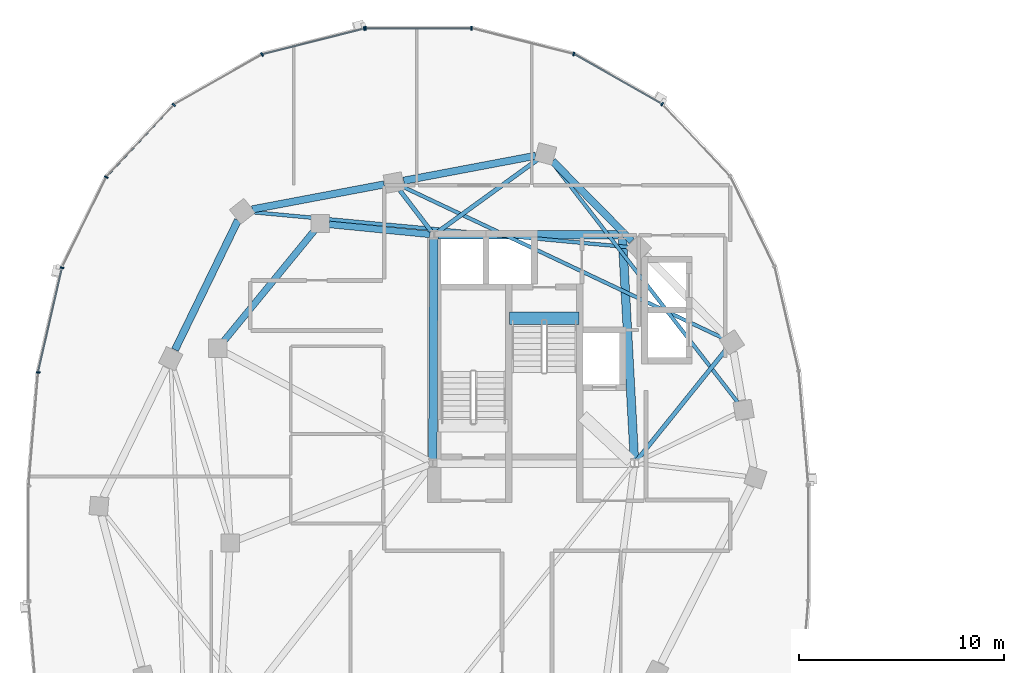
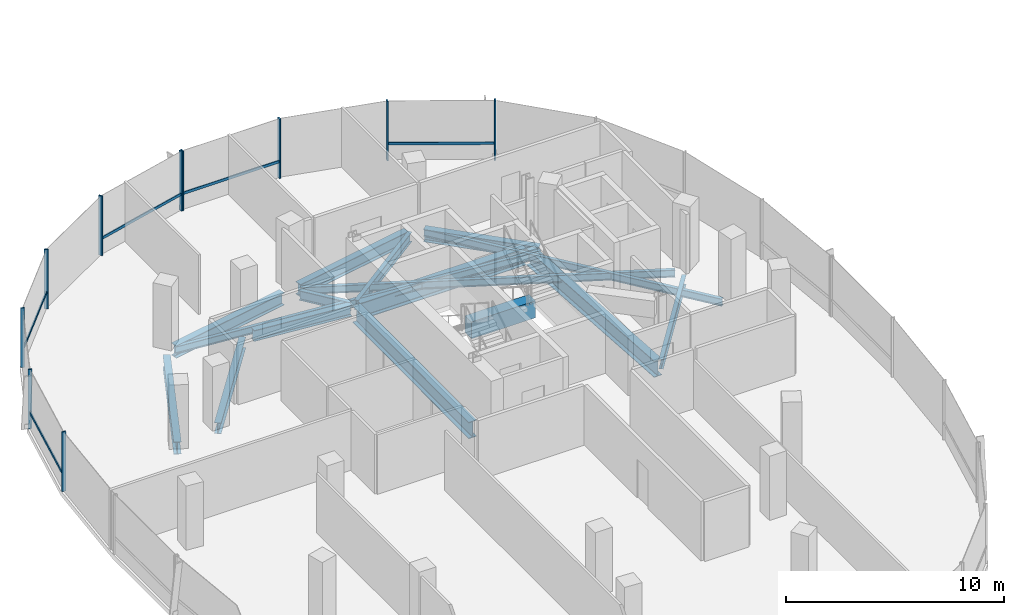
# One storey, part 6 of 25: 16 beams, 15 members, 2 elements without a shape of their own.
"""IFC4 building model written with IfcOpenShell, lengths in metres."""

from ifc_helpers import new_model, si_unit, direction, frame, origin, origin_2d, place, context, subcontext, project, spatial, rectangle, i_section, extrude, material, material_profile, profile_set, type_object, element, aggregate, save


model = new_model("IFC4")

# Units and contexts
model_context = context("Model", 3, precision=1e-05, world=origin(), true_north=direction((0.0, 1.0)))
body_context = subcontext(model_context, "Body", "Model", "MODEL_VIEW")
ifc_project = project(units=[si_unit("LENGTHUNIT", "METRE"), si_unit("AREAUNIT", "SQUARE_METRE"), si_unit("VOLUMEUNIT", "CUBIC_METRE"), si_unit("PLANEANGLEUNIT", "RADIAN"), si_unit("MASSUNIT", "GRAM", prefix="KILO"), si_unit("THERMODYNAMICTEMPERATUREUNIT", "KELVIN"), si_unit("POWERUNIT", "WATT")], contexts=[model_context])

# Site, building, storey
site_placement = place(None, origin())
site = spatial("IfcSite", under=ifc_project, at=site_placement, CompositionType="ELEMENT")
building_placement = place(site_placement, origin())
building = spatial("IfcBuilding", under=site, at=building_placement, Name="Cundina Bronze Exchange", CompositionType="ELEMENT")
storey_placement = place(building_placement, frame((0.0, 0.0, 191.800048828125)))
storey = spatial("IfcBuildingStorey", under=building, at=storey_placement, Name="L50", CompositionType="ELEMENT", Elevation=191.800048828125)

# Beams
ifc_material_1 = material(Name="Concrete C60/75", Category="concrete")
ifc_material_profile_1 = material_profile(ifc_material_1, rectangle(XDim=0.60009765625, YDim=0.949951171875, at=origin_2d()), Name="RC600X950", Category="concrete")
ifc_profile_set_1 = profile_set([ifc_material_profile_1], Name="Concrete C60/75")
beam_type_1 = type_object("IfcBeamType", Name="BM-COUP-RC950", PredefinedType="LINTEL", material=ifc_profile_set_1)
beam_1_placement = place(storey_placement, frame((-27.56005859375, 10.97998046875, -0.47509765625), z_axis=(1.0, 0.0, 0.0), x_axis=(0.0, 1.0, 0.0)))
element("IfcBeam", 1, at=beam_1_placement, inside=storey, type_object=beam_type_1, Name="L50 Stair W2 Landing Header Beam", PredefinedType="LINTEL", context=body_context, shape_type="SweptSolid", body=[
    extrude(rectangle(XDim=0.60009765625, YDim=0.949951171875, at=origin_2d()), origin(), (0.0, 0.0, 1.0), 3.400146484375),
])
ifc_material_2 = material(Name="Steel ASTM A992 Grade 50", Category="steel")
ifc_material_profile_2 = material_profile(ifc_material_2, i_section(OverallWidth=0.2119140625, OverallDepth=0.5439453125, WebThickness=0.01318359375, FlangeThickness=0.021240234375, FilletRadius=0.013916015625, at=origin_2d()), Name="W21X83", Category="steel")
ifc_profile_set_2 = profile_set([ifc_material_profile_2], Name="Steel ASTM A992 Grade 50")
beam_type_2 = type_object("IfcBeamType", Name="BM-FLR-W21A", PredefinedType="BEAM", material=ifc_profile_set_2)
beam_2_placement = place(storey_placement, frame((-21.3271484375, 4.052734375, -0.531982421875), z_axis=(0.627107470867, 0.778932744197, 0.0), x_axis=(-0.778932744197, 0.627107470867, 0.0)))
element("IfcBeam", 2, at=beam_2_placement, inside=storey, type_object=beam_type_2, Name="L50 Leg W Radial Floor Beam 02", PredefinedType="BEAM", context=body_context, shape_type="SweptSolid", body=[
    extrude(i_section(OverallWidth=0.2119140625, OverallDepth=0.5439453125, WebThickness=0.01318359375, FlangeThickness=0.021240234375, FilletRadius=0.013916015625, at=origin_2d()), origin(), (0.0, 0.0, 1.0), 6.890380859375),
])
beam_3_placement = place(storey_placement, frame((-31.09130859375, 15.1650390625, -0.531982421875), z_axis=(0.809703966883, 0.586838551915, 0.0), x_axis=(-0.586838551915, 0.809703966883, 0.0)))
element("IfcBeam", 3, at=beam_3_placement, inside=storey, type_object=beam_type_2, Name="L50 Leg W Radial Floor Beam 04", PredefinedType="BEAM", context=body_context, shape_type="SweptSolid", body=[
    extrude(i_section(OverallWidth=0.2119140625, OverallDepth=0.5439453125, WebThickness=0.01318359375, FlangeThickness=0.021240234375, FilletRadius=0.013916015625, at=origin_2d()), origin(), (0.0, 0.0, 1.0), 6.046875),
])
beam_4_placement = place(storey_placement, frame((-31.369140625, 15.205810546875, -0.531982421875), z_axis=(-0.607442932683, 0.794363319605, 0.0), x_axis=(-0.794363319605, -0.607442932683, 0.0)))
element("IfcBeam", 4, at=beam_4_placement, inside=storey, type_object=beam_type_2, Name="L50 Leg W Radial Floor Beam 05", PredefinedType="BEAM", context=body_context, shape_type="SweptSolid", body=[
    extrude(i_section(OverallWidth=0.2119140625, OverallDepth=0.5439453125, WebThickness=0.01318359375, FlangeThickness=0.021240234375, FilletRadius=0.013916015625, at=origin_2d()), origin(), (0.0, 0.0, 1.0), 2.526123046875),
])
ifc_material_profile_3 = material_profile(ifc_material_2, i_section(OverallWidth=0.178955078125, OverallDepth=0.409912109375, WebThickness=0.0087890625, FlangeThickness=0.014404296875, FilletRadius=0.010986328125, at=origin_2d()), Name="W16X45", Category="steel")
ifc_profile_set_3 = profile_set([ifc_material_profile_3], Name="Steel ASTM A992 Grade 50")
beam_type_3 = type_object("IfcBeamType", Name="BM-JST-W16", PredefinedType="JOIST", material=ifc_profile_set_3)
beam_5_placement = place(storey_placement, frame((-16.423583984375, 6.885986328125, -0.465087890625), z_axis=(-0.61208354334, 0.790793105668, 0.0), x_axis=(-0.790793105668, -0.61208354334, 0.0)))
element("IfcBeam", 5, at=beam_5_placement, inside=storey, type_object=beam_type_3, Name="L50 Leg W Lobe Floor Joist 01-04", PredefinedType="JOIST", context=body_context, shape_type="SweptSolid", body=[
    extrude(i_section(OverallWidth=0.178955078125, OverallDepth=0.409912109375, WebThickness=0.0087890625, FlangeThickness=0.014404296875, FilletRadius=0.010986328125, at=origin_2d()), origin(), (0.0, 0.0, 1.0), 14.830810546875),
])
beam_6_placement = place(storey_placement, frame((-17.14111328125, 10.008544921875, -0.465087890625), z_axis=(-0.904074252188, 0.427375416385, 0.0), x_axis=(-0.427375416385, -0.904074252188, 0.0)))
element("IfcBeam", 6, at=beam_6_placement, inside=storey, type_object=beam_type_3, Name="L50 Leg W Lobe Floor Joist 02-05", PredefinedType="JOIST", context=body_context, shape_type="SweptSolid", body=[
    extrude(i_section(OverallWidth=0.178955078125, OverallDepth=0.409912109375, WebThickness=0.0087890625, FlangeThickness=0.014404296875, FilletRadius=0.010986328125, at=origin_2d()), origin(), (0.0, 0.0, 1.0), 17.274658203125),
])
beam_7_placement = place(storey_placement, frame((-21.73583984375, 14.4453125, -0.465087890625), z_axis=(-0.995701840093, 0.092616659595, 0.0), x_axis=(-0.092616659595, -0.995701840093, 0.0)))
element("IfcBeam", 7, at=beam_7_placement, inside=storey, type_object=beam_type_3, Name="L50 Leg W Lobe Floor Joist 03-06", PredefinedType="JOIST", context=body_context, shape_type="SweptSolid", body=[
    extrude(i_section(OverallWidth=0.178955078125, OverallDepth=0.409912109375, WebThickness=0.0087890625, FlangeThickness=0.014404296875, FilletRadius=0.010986328125, at=origin_2d()), origin(), (0.0, 0.0, 1.0), 18.45751953125),
])
ifc_material_profile_4 = material_profile(ifc_material_2, i_section(OverallWidth=0.324951171875, OverallDepth=0.615966796875, WebThickness=0.013916015625, FlangeThickness=0.021484375, FilletRadius=0.01611328125, at=origin_2d()), Name="W24X117", Category="steel")
ifc_profile_set_4 = profile_set([ifc_material_profile_4], Name="Steel ASTM A992 Grade 50")
beam_type_4 = type_object("IfcBeamType", Name="BM-RING-W24", PredefinedType="USERDEFINED", material=ifc_profile_set_4)
beam_8_placement = place(storey_placement, frame((-31.445068359375, 15.0693359375, -0.568115234375), z_axis=(-0.995123854478, 0.09863323096, 0.0), x_axis=(-0.09863323096, -0.995123854478, 0.0)))
element("IfcBeam", 8, at=beam_8_placement, inside=storey, type_object=beam_type_4, Name="L50 W Inner Structural Ring Girder 01", ObjectType="GIRDER", PredefinedType="USERDEFINED", context=body_context, shape_type="SweptSolid", body=[
    extrude(i_section(OverallWidth=0.324951171875, OverallDepth=0.615966796875, WebThickness=0.013916015625, FlangeThickness=0.021484375, FilletRadius=0.01611328125, at=origin_2d()), origin(), (0.0, 0.0, 1.0), 4.943115234375),
])
beam_9_placement = place(storey_placement, frame((-37.07763671875, 15.26123046875, -0.568115234375), z_axis=(-0.633912590175, -0.77340469873, 0.0), x_axis=(0.77340469873, -0.633912590175, 0.0)))
element("IfcBeam", 9, at=beam_9_placement, inside=storey, type_object=beam_type_4, Name="L50 W Inner Structural Ring Girder 02", ObjectType="GIRDER", PredefinedType="USERDEFINED", context=body_context, shape_type="SweptSolid", body=[
    extrude(i_section(OverallWidth=0.324951171875, OverallDepth=0.615966796875, WebThickness=0.013916015625, FlangeThickness=0.021484375, FilletRadius=0.01611328125, at=origin_2d()), origin(), (0.0, 0.0, 1.0), 7.01123046875),
])
ifc_material_profile_5 = material_profile(ifc_material_2, i_section(OverallWidth=0.35498046875, OverallDepth=0.695068359375, WebThickness=0.015380859375, FlangeThickness=0.02490234375, FilletRadius=0.01806640625, at=origin_2d()), Name="W27X146", Category="steel")
ifc_profile_set_5 = profile_set([ifc_material_profile_5], Name="Steel ASTM A992 Grade 50")
beam_type_5 = type_object("IfcBeamType", Name="BM-RING-W27", PredefinedType="USERDEFINED", material=ifc_profile_set_5)
beam_10_placement = place(storey_placement, frame((-21.59326171875, 14.746826171875, -0.607666015625), z_axis=(-0.703207895705, 0.710984286337, 0.0), x_axis=(-0.710984286337, -0.703207895705, 0.0)))
element("IfcBeam", 10, at=beam_10_placement, inside=storey, type_object=beam_type_5, Name="L50 W Perimeter Ring Girder 03", ObjectType="GIRDER", PredefinedType="USERDEFINED", context=body_context, shape_type="SweptSolid", body=[
    extrude(i_section(OverallWidth=0.35498046875, OverallDepth=0.695068359375, WebThickness=0.015380859375, FlangeThickness=0.02490234375, FilletRadius=0.01806640625, at=origin_2d()), origin(), (0.0, 0.0, 1.0), 5.494140625),
])
beam_11_placement = place(storey_placement, frame((-26.279541015625, 18.9091796875, -0.607666015625), z_axis=(-0.982571532667, -0.185884865421, 0.0), x_axis=(0.185884865421, -0.982571532667, 0.0)))
element("IfcBeam", 11, at=beam_11_placement, inside=storey, type_object=beam_type_5, Name="L50 W Perimeter Ring Girder 04", ObjectType="GIRDER", PredefinedType="USERDEFINED", context=body_context, shape_type="SweptSolid", body=[
    extrude(i_section(OverallWidth=0.35498046875, OverallDepth=0.695068359375, WebThickness=0.015380859375, FlangeThickness=0.02490234375, FilletRadius=0.01806640625, at=origin_2d()), origin(), (0.0, 0.0, 1.0), 6.55517578125),
])
beam_12_placement = place(storey_placement, frame((-33.679443359375, 17.50927734375, -0.607666015625), z_axis=(-0.982572819495, -0.185878063226, 0.0), x_axis=(0.185878063226, -0.982572819495, 0.0)))
element("IfcBeam", 12, at=beam_12_placement, inside=storey, type_object=beam_type_5, Name="L50 W Perimeter Ring Girder 05", ObjectType="GIRDER", PredefinedType="USERDEFINED", context=body_context, shape_type="SweptSolid", body=[
    extrude(i_section(OverallWidth=0.35498046875, OverallDepth=0.695068359375, WebThickness=0.015380859375, FlangeThickness=0.02490234375, FilletRadius=0.01806640625, at=origin_2d()), origin(), (0.0, 0.0, 1.0), 6.555419921875),
])
beam_13_placement = place(storey_placement, frame((-40.8134765625, 15.760986328125, -0.607666015625), z_axis=(-0.437196998825, -0.89936576776, 0.0), x_axis=(0.89936576776, -0.437196998825, 0.0)))
element("IfcBeam", 13, at=beam_13_placement, inside=storey, type_object=beam_type_5, Name="L50 W Perimeter Ring Girder 06", ObjectType="GIRDER", PredefinedType="USERDEFINED", context=body_context, shape_type="SweptSolid", body=[
    extrude(i_section(OverallWidth=0.35498046875, OverallDepth=0.695068359375, WebThickness=0.015380859375, FlangeThickness=0.02490234375, FilletRadius=0.01806640625, at=origin_2d()), origin(), (0.0, 0.0, 1.0), 7.029541015625),
])
ifc_material_profile_6 = material_profile(ifc_material_2, i_section(OverallWidth=0.41796875, OverallDepth=0.927001953125, WebThickness=0.019287109375, FlangeThickness=0.031982421875, FilletRadius=0.02392578125, at=origin_2d()), Name="W36X231", Category="steel")
ifc_profile_set_6 = profile_set([ifc_material_profile_6], Name="Steel ASTM A992 Grade 50")
beam_type_6 = type_object("IfcBeamType", Name="BM-WRN-W36B", PredefinedType="USERDEFINED", material=ifc_profile_set_6)
beam_14_placement = place(storey_placement, frame((-21.46044921875, 4.095703125, -0.7236328125), z_axis=(-0.053749317644, 0.998554460634, 0.0), x_axis=(-0.998554460634, -0.053749317644, 0.0)))
element("IfcBeam", 14, at=beam_14_placement, inside=storey, type_object=beam_type_6, Name="L50 W Core Perimeter Tie Girder 2", ObjectType="GIRDER", PredefinedType="USERDEFINED", context=body_context, shape_type="SweptSolid", body=[
    extrude(i_section(OverallWidth=0.41796875, OverallDepth=0.927001953125, WebThickness=0.019287109375, FlangeThickness=0.031982421875, FilletRadius=0.02392578125, at=origin_2d()), origin(), (0.0, 0.0, 1.0), 10.774169921875),
])
beam_15_placement = place(storey_placement, frame((-22.24609375, 15.050048828125, -0.7236328125), z_axis=(-1.0, 0.0, 0.0), x_axis=(0.0, -1.0, 0.0)))
element("IfcBeam", 15, at=beam_15_placement, inside=storey, type_object=beam_type_6, Name="L50 W Core Perimeter Tie Girder 3", ObjectType="GIRDER", PredefinedType="USERDEFINED", context=body_context, shape_type="SweptSolid", body=[
    extrude(i_section(OverallWidth=0.41796875, OverallDepth=0.927001953125, WebThickness=0.019287109375, FlangeThickness=0.031982421875, FilletRadius=0.02392578125, at=origin_2d()), origin(), (0.0, 0.0, 1.0), 8.807861328125),
])
beam_16_placement = place(storey_placement, frame((-31.2509765625, 14.85400390625, -0.7236328125), z_axis=(-0.004470623654, -0.999990006712, 0.0), x_axis=(0.999990006712, -0.004470623654, 0.0)))
element("IfcBeam", 16, at=beam_16_placement, inside=storey, type_object=beam_type_6, Name="L50 W Core Perimeter Tie Girder 4", ObjectType="GIRDER", PredefinedType="USERDEFINED", context=body_context, shape_type="SweptSolid", body=[
    extrude(i_section(OverallWidth=0.41796875, OverallDepth=0.927001953125, WebThickness=0.019287109375, FlangeThickness=0.031982421875, FilletRadius=0.02392578125, at=origin_2d()), origin(), (0.0, 0.0, 1.0), 10.758056640625),
])

# Curtain wall, members
ifc_material_3 = material(Name="Anodised Bronze Aluminium 6063-T6", Category="aluminium")
curtain_wall_type = type_object("IfcCurtainWallType", Name="CWS-UPP-OFF", PredefinedType="NOTDEFINED", material=ifc_material_3)
curtain_wall_1_placement = place(storey_placement, origin())
curtain_wall_1 = element("IfcCurtainWall", 17, at=curtain_wall_1_placement, inside=storey, type_object=curtain_wall_type, Name="L50 CW-05 Curtain Wall Run CWR-L50-W1", PredefinedType="NOTDEFINED")
ifc_material_profile_7 = material_profile(ifc_material_3, rectangle(XDim=0.070068359375, YDim=0.18994140625, at=origin_2d()), Name="AL70X190", Category="aluminium")
ifc_profile_set_7 = profile_set([ifc_material_profile_7], Name="Anodised Bronze Aluminium 6063-T6")
member_type_1 = type_object("IfcMemberType", Name="CWM-MUL-190", PredefinedType="MULLION", material=ifc_profile_set_7)
member_1_placement = place(storey_placement, frame((-20.100341796875, 21.43115234375, 0.0), z_axis=(0.0, 0.0, 1.0), x_axis=(-0.86958112538, 0.493790103568, 0.0)))
member_1 = element("IfcMember", 18, at=member_1_placement, type_object=member_type_1, Name="CW-05 Mullion 5", PredefinedType="MULLION", context=body_context, shape_type="SweptSolid", body=[
    extrude(rectangle(XDim=0.070068359375, YDim=0.18994140625, at=origin_2d()), origin(), (0.0, 0.0, 1.0), 3.33984375),
])
member_2_placement = place(storey_placement, frame((-24.422607421875, 23.87548828125, 0.0), z_axis=(0.0, 0.0, 1.0), x_axis=(-0.969744325821, 0.244122802168, 0.0)))
member_2 = element("IfcMember", 19, at=member_2_placement, type_object=member_type_1, Name="CW-05 Mullion 6", PredefinedType="MULLION", context=body_context, shape_type="SweptSolid", body=[
    extrude(rectangle(XDim=0.070068359375, YDim=0.18994140625, at=origin_2d()), origin(), (0.0, 0.0, 1.0), 3.33984375),
])
member_3_placement = place(storey_placement, frame((-29.419921875, 25.125, 0.0), z_axis=(0.0, 0.0, 1.0), x_axis=(-1.0, 0.0, 0.0)))
member_3 = element("IfcMember", 20, at=member_3_placement, type_object=member_type_1, Name="CW-05 Mullion 7", PredefinedType="MULLION", context=body_context, shape_type="SweptSolid", body=[
    extrude(rectangle(XDim=0.070068359375, YDim=0.18994140625, at=origin_2d()), origin(), (0.0, 0.0, 1.0), 3.33984375),
])
member_4_placement = place(storey_placement, frame((-34.580078125, 25.125, 0.0), z_axis=(0.0, 0.0, 1.0), x_axis=(-1.0, 0.0, 0.0)))
member_4 = element("IfcMember", 21, at=member_4_placement, type_object=member_type_1, Name="CW-05 End Mullion", PredefinedType="MULLION", context=body_context, shape_type="SweptSolid", body=[
    extrude(rectangle(XDim=0.070068359375, YDim=0.18994140625, at=origin_2d()), origin(), (0.0, 0.0, 1.0), 3.33984375),
])

curtain_wall_2_placement = place(storey_placement, origin())
curtain_wall_2 = element("IfcCurtainWall", 22, at=curtain_wall_2_placement, inside=storey, type_object=curtain_wall_type, Name="L50 CW-05 Curtain Wall Run CWR-L50-W2", PredefinedType="NOTDEFINED")
member_5_placement = place(storey_placement, frame((-34.6484375, 25.116455078125, 0.0), z_axis=(0.0, 0.0, 1.0), x_axis=(-0.969744325821, -0.244122802168, 0.0)))
member_5 = element("IfcMember", 23, at=member_5_placement, type_object=member_type_1, Name="CW-05 Mullion 1", PredefinedType="MULLION", context=body_context, shape_type="SweptSolid", body=[
    extrude(rectangle(XDim=0.070068359375, YDim=0.18994140625, at=origin_2d()), origin(), (0.0, 0.0, 1.0), 3.33984375),
])
member_6_placement = place(storey_placement, frame((-39.638916015625, 23.850830078125, 0.0), z_axis=(0.0, 0.0, 1.0), x_axis=(-0.86958112538, -0.493790103568, 0.0)))
member_6 = element("IfcMember", 24, at=member_6_placement, type_object=member_type_1, Name="CW-05 Mullion 2", PredefinedType="MULLION", context=body_context, shape_type="SweptSolid", body=[
    extrude(rectangle(XDim=0.070068359375, YDim=0.18994140625, at=origin_2d()), origin(), (0.0, 0.0, 1.0), 3.33984375),
])
member_7_placement = place(storey_placement, frame((-43.94873046875, 21.392578125, 0.0), z_axis=(0.0, 0.0, 1.0), x_axis=(-0.684292606175, -0.729207535023, 0.0)))
member_7 = element("IfcMember", 25, at=member_7_placement, type_object=member_type_1, Name="CW-05 Mullion 3", PredefinedType="MULLION", context=body_context, shape_type="SweptSolid", body=[
    extrude(rectangle(XDim=0.070068359375, YDim=0.18994140625, at=origin_2d()), origin(), (0.0, 0.0, 1.0), 3.33984375),
])
member_8_placement = place(storey_placement, frame((-47.245361328125, 17.866455078125, 0.0), z_axis=(0.0, 0.0, 1.0), x_axis=(-0.440566004113, -0.897720221461, 0.0)))
member_8 = element("IfcMember", 26, at=member_8_placement, type_object=member_type_1, Name="CW-05 Mullion 4", PredefinedType="MULLION", context=body_context, shape_type="SweptSolid", body=[
    extrude(rectangle(XDim=0.070068359375, YDim=0.18994140625, at=origin_2d()), origin(), (0.0, 0.0, 1.0), 3.33984375),
])
member_9_placement = place(storey_placement, frame((-49.40771484375, 13.440673828125, 0.0), z_axis=(0.0, 0.0, 1.0), x_axis=(-0.223250116011, -0.974761194191, 0.0)))
member_9 = element("IfcMember", 27, at=member_9_placement, type_object=member_type_1, Name="CW-05 Mullion 5", PredefinedType="MULLION", context=body_context, shape_type="SweptSolid", body=[
    extrude(rectangle(XDim=0.070068359375, YDim=0.18994140625, at=origin_2d()), origin(), (0.0, 0.0, 1.0), 3.33984375),
])
member_10_placement = place(storey_placement, frame((-50.572509765625, 8.33056640625, 0.0), z_axis=(0.0, 0.0, 1.0), x_axis=(-0.083677843332, -0.99649285925, 0.0)))
member_10 = element("IfcMember", 28, at=member_10_placement, type_object=member_type_1, Name="CW-05 Mullion 6", PredefinedType="MULLION", context=body_context, shape_type="SweptSolid", body=[
    extrude(rectangle(XDim=0.070068359375, YDim=0.18994140625, at=origin_2d()), origin(), (0.0, 0.0, 1.0), 3.33984375),
])

# Member
ifc_material_profile_8 = material_profile(ifc_material_3, rectangle(XDim=0.06494140625, YDim=0.14990234375, at=origin_2d()), Name="AL65X150", Category="aluminium")
ifc_profile_set_8 = profile_set([ifc_material_profile_8], Name="Anodised Bronze Aluminium 6063-T6")
member_type_2 = type_object("IfcMemberType", Name="CWM-TRN-150", PredefinedType="USERDEFINED", material=ifc_profile_set_8)
member_11_placement = place(storey_placement, frame((-20.1337890625, 21.4501953125, 0.919921875), z_axis=(-0.869573748083, 0.493803095013, 0.0), x_axis=(-0.493803095013, -0.869573748083, 0.0)))
member_11 = element("IfcMember", 29, at=member_11_placement, type_object=member_type_2, Name="CW-05 Spandrel Transom 5", ObjectType="TRANSOM", PredefinedType="USERDEFINED", context=body_context, shape_type="SweptSolid", body=[
    extrude(rectangle(XDim=0.06494140625, YDim=0.14990234375, at=origin_2d()), origin(), (0.0, 0.0, 1.0), 4.900146484375),
])

member_12_placement = place(storey_placement, frame((-29.45849609375, 25.125, 0.919921875), z_axis=(-1.0, 0.0, 0.0), x_axis=(0.0, -1.0, 0.0)))
member_12 = element("IfcMember", 30, at=member_12_placement, type_object=member_type_2, Name="CW-05 Spandrel Transom 7", ObjectType="TRANSOM", PredefinedType="USERDEFINED", context=body_context, shape_type="SweptSolid", body=[
    extrude(rectangle(XDim=0.06494140625, YDim=0.14990234375, at=origin_2d()), origin(), (0.0, 0.0, 1.0), 5.0830078125),
])

aggregate(curtain_wall_1, [member_1, member_11, member_2, member_3, member_4, member_12])

member_13_placement = place(storey_placement, frame((-34.685791015625, 25.107177734375, 0.919921875), z_axis=(-0.969725738797, -0.244196624699, 0.0), x_axis=(0.244196624699, -0.969725738797, 0.0)))
member_13 = element("IfcMember", 31, at=member_13_placement, type_object=member_type_2, Name="CW-05 Spandrel Transom 1", ObjectType="TRANSOM", PredefinedType="USERDEFINED", context=body_context, shape_type="SweptSolid", body=[
    extrude(rectangle(XDim=0.06494140625, YDim=0.14990234375, at=origin_2d()), origin(), (0.0, 0.0, 1.0), 5.082763671875),
])

member_14_placement = place(storey_placement, frame((-43.97509765625, 21.364501953125, 0.919921875), z_axis=(-0.684336416554, -0.729166420633, 0.0), x_axis=(0.729166420633, -0.684336416554, 0.0)))
member_14 = element("IfcMember", 32, at=member_14_placement, type_object=member_type_2, Name="CW-05 Spandrel Transom 3", ObjectType="TRANSOM", PredefinedType="USERDEFINED", context=body_context, shape_type="SweptSolid", body=[
    extrude(rectangle(XDim=0.06494140625, YDim=0.14990234375, at=origin_2d()), origin(), (0.0, 0.0, 1.0), 4.76513671875),
])

member_15_placement = place(storey_placement, frame((-49.41650390625, 13.403076171875, 0.919921875), z_axis=(-0.22328343579, -0.974753562344, 0.0), x_axis=(0.974753562344, -0.22328343579, 0.0)))
member_15 = element("IfcMember", 33, at=member_15_placement, type_object=member_type_2, Name="CW-05 Spandrel Transom 5", ObjectType="TRANSOM", PredefinedType="USERDEFINED", context=body_context, shape_type="SweptSolid", body=[
    extrude(rectangle(XDim=0.06494140625, YDim=0.14990234375, at=origin_2d()), origin(), (0.0, 0.0, 1.0), 5.159912109375),
])

aggregate(curtain_wall_2, [member_5, member_13, member_6, member_7, member_14, member_8, member_9, member_15, member_10])

save(model, "model.ifc")
